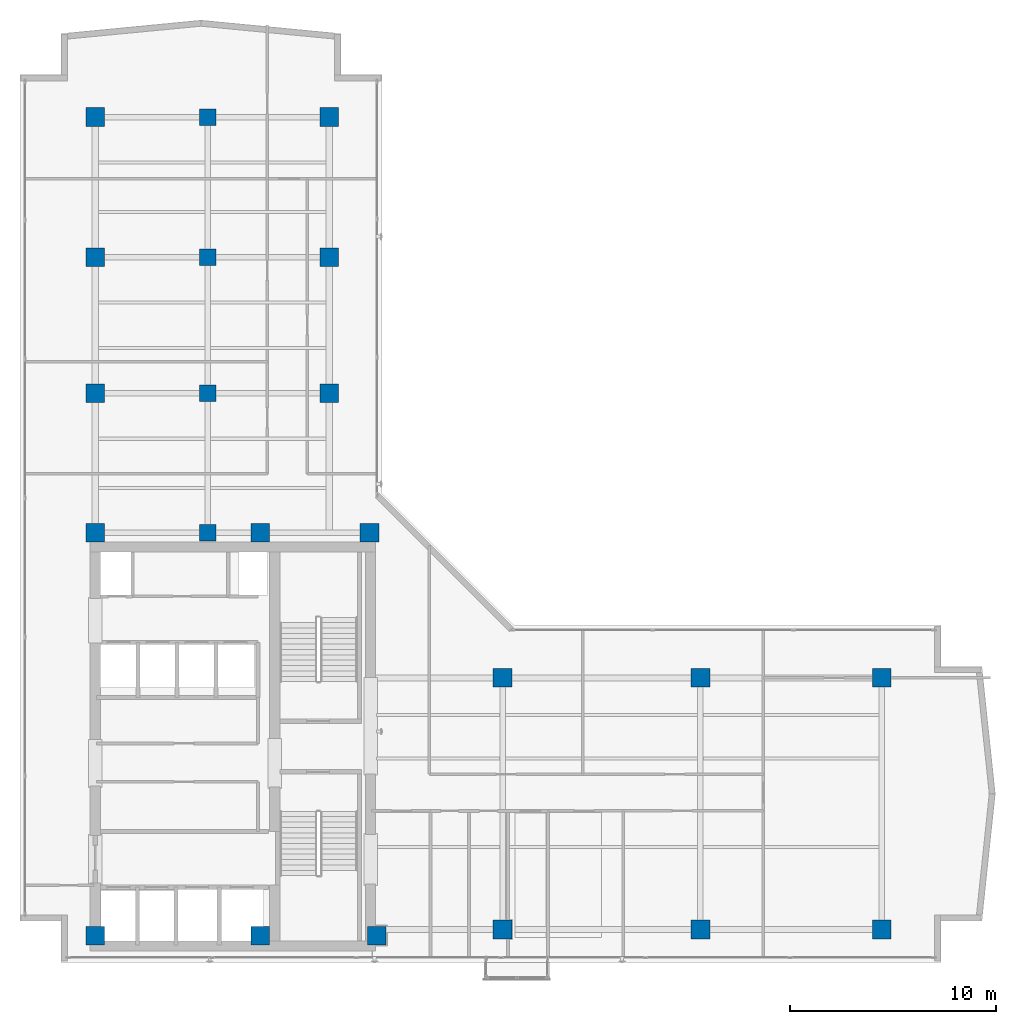
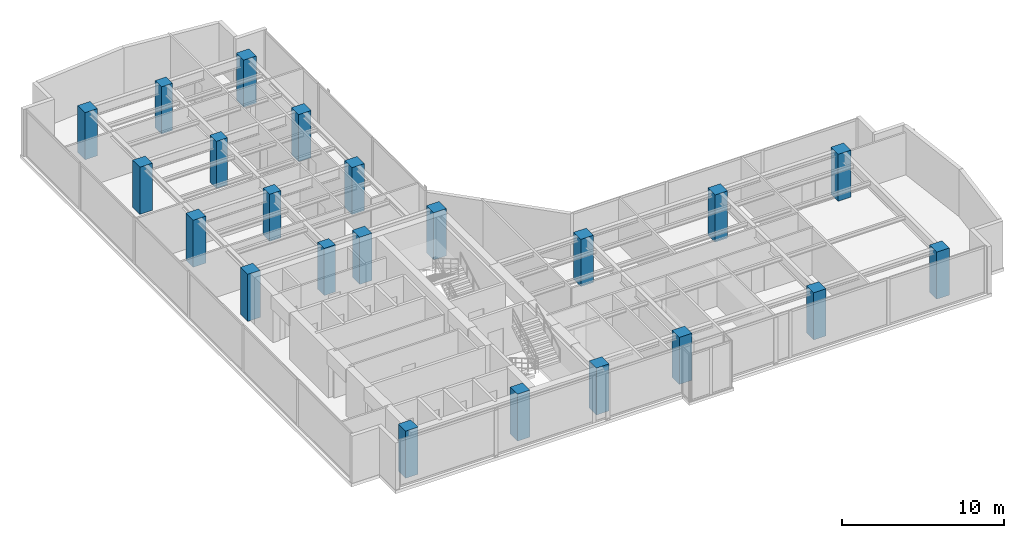
# One storey, part 1 of 22: 22 columns.
"""IFC4 building model written with IfcOpenShell, lengths in metres."""

from ifc_helpers import new_model, si_unit, direction, frame, origin, origin_2d, place, context, subcontext, project, spatial, rectangle, extrude, material, material_profile, profile_set, type_object, element, save


model = new_model("IFC4")

# Units and contexts
model_context = context("Model", 3, precision=1e-05, world=origin(), true_north=direction((0.0, 1.0)))
body_context = subcontext(model_context, "Body", "Model", "MODEL_VIEW")
ifc_project = project(units=[si_unit("LENGTHUNIT", "METRE"), si_unit("AREAUNIT", "SQUARE_METRE"), si_unit("VOLUMEUNIT", "CUBIC_METRE"), si_unit("PLANEANGLEUNIT", "RADIAN"), si_unit("MASSUNIT", "GRAM", prefix="KILO")], contexts=[model_context])

# Site, building, storey
site_placement = place(None, origin())
site = spatial("IfcSite", under=ifc_project, at=site_placement, CompositionType="ELEMENT")
building_placement = place(site_placement, origin())
building = spatial("IfcBuilding", under=site, at=building_placement, Name="Kolvaren Waterfront Exchange", CompositionType="ELEMENT")
storey_placement = place(building_placement, frame((0.0, 0.0, 278.0)))
storey = spatial("IfcBuildingStorey", under=building, at=storey_placement, Name="L71", CompositionType="ELEMENT", Elevation=278.0)

# Columns
ifc_material = material(Name="Concrete C50/60", Category="concrete")
ifc_material_profile_1 = material_profile(ifc_material, rectangle(XDim=0.800048828125, YDim=0.800048828125, at=origin_2d()), Name="RC-COL-800x800")
ifc_profile_set_1 = profile_set([ifc_material_profile_1], Name="Concrete C50/60")
column_type_1 = type_object("IfcColumnType", Name="STR-COL-800-C50", PredefinedType="COLUMN", material=ifc_profile_set_1)
for number, where, z_axis, x_axis, name in (
    (1, (12.89990234375, 24.449951171875, 0.0), (0.0, 0.0, 1.0), (1.0, 0.0, 0.0), "L71 column TC01"),
    (2, (12.89990234375, 31.199951171875, 0.0), (0.0, 0.0, 1.0), (1.0, 0.0, 0.0), "L71 column TC02"),
    (3, (12.89990234375, 37.800048828125, 0.0), (0.0, 0.0, 1.0), (1.0, 0.0, 0.0), "L71 column TC03"),
    (4, (12.89990234375, 44.60009765625, 0.0), (0.0, 0.0, 1.0), (1.0, 0.0, 0.0), "L71 column TC04"),
):
    element("IfcColumn", number, at=place(storey_placement, frame(where, z_axis=z_axis, x_axis=x_axis)), inside=storey, type_object=column_type_1, Name=name, PredefinedType="COLUMN", context=body_context, shape_type="SweptSolid", body=[
        extrude(rectangle(XDim=0.800048828125, YDim=0.800048828125, at=origin_2d()), origin(), (0.0, 0.0, 1.0), 3.56005859375),
    ])
ifc_material_profile_2 = material_profile(ifc_material, rectangle(XDim=0.89990234375, YDim=0.89990234375, at=origin_2d()), Name="RC-COL-900x900")
ifc_profile_set_2 = profile_set([ifc_material_profile_2], Name="Concrete C50/60")
column_type_2 = type_object("IfcColumnType", Name="STR-COL-900-C50", PredefinedType="COLUMN", material=ifc_profile_set_2)
for number, where, z_axis, x_axis, name in (
    (5, (7.449951171875, 4.89990234375, 0.0), (0.0, 0.0, 1.0), (1.0, 0.0, 0.0), "L71 column MC01"),
    (6, (15.449951171875, 4.89990234375, 0.0), (0.0, 0.0, 1.0), (1.0, 0.0, 0.0), "L71 column MC02"),
    (7, (21.10009765625, 4.89990234375, 0.0), (0.0, 0.0, 1.0), (1.0, 0.0, 0.0), "L71 column MC03"),
    (8, (7.449951171875, 24.449951171875, 0.0), (0.0, 0.0, 1.0), (1.0, 0.0, 0.0), "L71 column MC04"),
    (9, (15.449951171875, 24.449951171875, 0.0), (0.0, 0.0, 1.0), (1.0, 0.0, 0.0), "L71 column MC05"),
    (10, (20.75, 24.449951171875, 0.0), (0.0, 0.0, 1.0), (1.0, 0.0, 0.0), "L71 column MC06"),
    (11, (7.449951171875, 31.199951171875, 0.0), (0.0, 0.0, 1.0), (1.0, 0.0, 0.0), "L71 column NC01"),
    (12, (7.449951171875, 37.800048828125, 0.0), (0.0, 0.0, 1.0), (1.0, 0.0, 0.0), "L71 column NC02"),
    (13, (7.449951171875, 44.60009765625, 0.0), (0.0, 0.0, 1.0), (1.0, 0.0, 0.0), "L71 column NC03"),
    (14, (18.800048828125, 31.199951171875, 0.0), (0.0, 0.0, 1.0), (1.0, 0.0, 0.0), "L71 column NC04"),
    (15, (18.800048828125, 37.800048828125, 0.0), (0.0, 0.0, 1.0), (1.0, 0.0, 0.0), "L71 column NC05"),
    (16, (18.800048828125, 44.60009765625, 0.0), (0.0, 0.0, 1.0), (1.0, 0.0, 0.0), "L71 column NC06"),
    (17, (27.199951171875, 5.199951171875, 0.0), (0.0, 0.0, 1.0), (1.0, 0.0, 0.0), "L71 column EC01"),
    (18, (36.800048828125, 5.199951171875, 0.0), (0.0, 0.0, 1.0), (1.0, 0.0, 0.0), "L71 column EC02"),
    (19, (45.60009765625, 5.199951171875, 0.0), (0.0, 0.0, 1.0), (1.0, 0.0, 0.0), "L71 column EC03"),
    (20, (27.199951171875, 17.39990234375, 0.0), (0.0, 0.0, 1.0), (1.0, 0.0, 0.0), "L71 column EC04"),
    (21, (36.800048828125, 17.39990234375, 0.0), (0.0, 0.0, 1.0), (1.0, 0.0, 0.0), "L71 column EC05"),
    (22, (45.60009765625, 17.39990234375, 0.0), (0.0, 0.0, 1.0), (1.0, 0.0, 0.0), "L71 column EC06"),
):
    element("IfcColumn", number, at=place(storey_placement, frame(where, z_axis=z_axis, x_axis=x_axis)), inside=storey, type_object=column_type_2, Name=name, PredefinedType="COLUMN", context=body_context, shape_type="SweptSolid", body=[
        extrude(rectangle(XDim=0.89990234375, YDim=0.89990234375, at=origin_2d()), origin(), (0.0, 0.0, 1.0), 3.56005859375),
    ])

save(model, "model.ifc")
